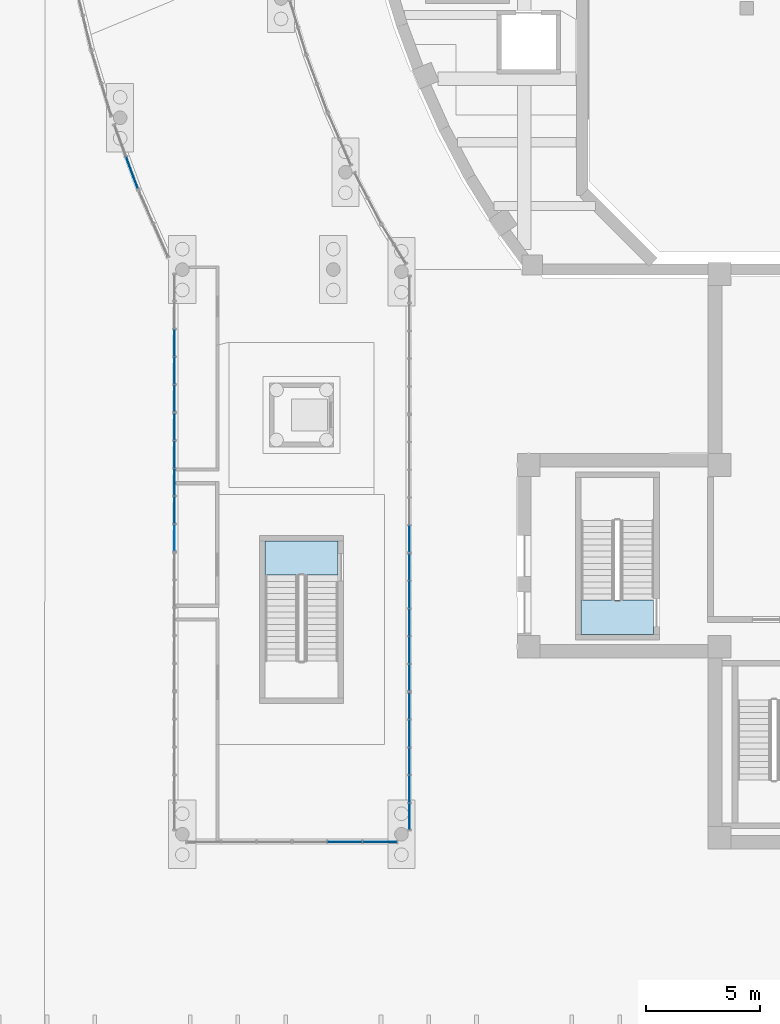
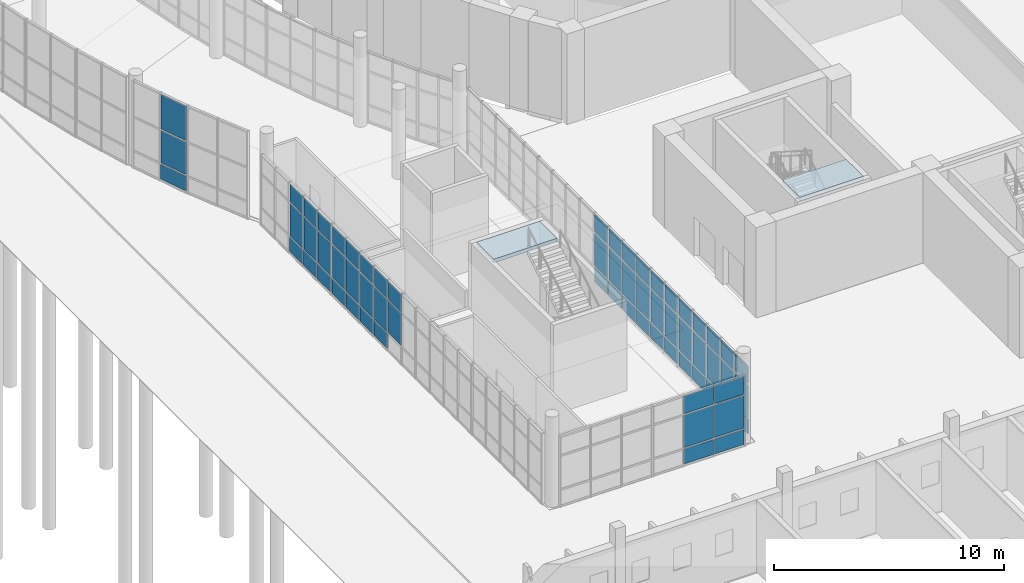
# One storey, part 40 of 110: 65 plates, 2 slabs, 9 elements without a shape of their own.
"""IFC4 building model written with IfcOpenShell, lengths in metres."""

import ifcopenshell
import ifcopenshell.guid

model = None  # the IFC model being written
_history = None  # IfcOwnerHistory: only IFC2X3 demands one
_inside = {}  # id of a spatial element -> (the spatial element, [elements in it])
_under = {}  # id of a project, library or spatial element -> (it, [spatial elements below it])
_declared = {}  # id of a project -> (the project, [libraries it declares])
_typed = {}  # id of a type object -> (the type object, [elements of that type])
_made_of = {}  # id of a material, layer set ... -> (it, [elements and type objects made of it])


def new_model(schema):
    """Start an empty IFC model of exactly this schema.

    Asked for "IFC4X3", IfcOpenShell would pick the latest addendum, in which some entities
    have other attributes; the version numbers below select the first issue.
    IFC2X3 requires an IfcOwnerHistory on every rooted entity: one is made here for all.
    """
    global model, _history
    if schema == "IFC4X3":
        model = ifcopenshell.file(schema_version=(4, 3, 0, 0))
    else:
        model = ifcopenshell.file(schema=schema)
    _inside.clear()
    _under.clear()
    _declared.clear()
    _typed.clear()
    _made_of.clear()
    _history = None
    if model.schema == "IFC2X3":
        org = make("IfcOrganization", Name="unknown")
        user = make(
            "IfcPersonAndOrganization",
            ThePerson=make("IfcPerson", FamilyName="unknown"),
            TheOrganization=org,
        )
        app = make(
            "IfcApplication",
            ApplicationDeveloper=org,
            Version="unknown",
            ApplicationFullName="unknown",
            ApplicationIdentifier="unknown",
        )
        _history = make(
            "IfcOwnerHistory",
            OwningUser=user,
            OwningApplication=app,
            ChangeAction="ADDED",
            CreationDate=0,
        )
    return model


def make(cls, **values):
    """One entity of the class cls with the attributes given. An attribute that is None is left unset."""
    return model.create_entity(
        cls, **{name: value for name, value in values.items() if value is not None}
    )


def rooted(cls, **values):
    """An entity with a GlobalId (a new one), such as an element, a storey or a relation."""
    return make(cls, GlobalId=ifcopenshell.guid.new(), OwnerHistory=_history, **values)


def si_unit(unit_type, name, prefix=None):
    """IfcSIUnit, for example si_unit("LENGTHUNIT", "METRE", prefix="MILLI")."""
    return make("IfcSIUnit", UnitType=unit_type, Prefix=prefix, Name=name)


def assignment(units):
    """IfcUnitAssignment: the units of a project."""
    return None if units is None else make("IfcUnitAssignment", Units=units)


def point(xyz):
    """IfcCartesianPoint."""
    return None if xyz is None else make("IfcCartesianPoint", Coordinates=xyz)


def direction(xyz):
    """IfcDirection."""
    return None if xyz is None else make("IfcDirection", DirectionRatios=xyz)


def frame(location, z_axis=None, x_axis=None):
    """IfcAxis2Placement3D, a coordinate frame: its origin and axes. An axis left out is left unset."""
    return make(
        "IfcAxis2Placement3D",
        Location=point(location),
        Axis=direction(z_axis),
        RefDirection=direction(x_axis),
    )


def frame_2d(location, x_axis=None):
    """IfcAxis2Placement2D, a coordinate frame in the plane: its origin and x axis."""
    return make(
        "IfcAxis2Placement2D", Location=point(location), RefDirection=direction(x_axis)
    )


def origin():
    """The frame at (0, 0, 0) with its axes left unset."""
    return frame((0.0, 0.0, 0.0))


def origin_2d():
    """The frame at (0, 0) in the plane with its x axis left unset."""
    return frame_2d((0.0, 0.0))


def place(relative_to, where):
    """IfcLocalPlacement: puts the frame where relative to a parent placement (None: the world)."""
    return make(
        "IfcLocalPlacement", PlacementRelTo=relative_to, RelativePlacement=where
    )


def context(
    kind, dimensions, precision=None, world=None, true_north=None, identifier=None
):
    """IfcGeometricRepresentationContext, for example the 3D "Model" context."""
    return make(
        "IfcGeometricRepresentationContext",
        ContextIdentifier=identifier,
        ContextType=kind,
        CoordinateSpaceDimension=dimensions,
        Precision=precision,
        WorldCoordinateSystem=world,
        TrueNorth=true_north,
    )


def subcontext(parent, identifier, kind, view, scale=None):
    """IfcGeometricRepresentationSubContext, for example "Body" below "Model"."""
    return make(
        "IfcGeometricRepresentationSubContext",
        ContextIdentifier=identifier,
        ContextType=kind,
        ParentContext=parent,
        TargetScale=scale,
        TargetView=view,
    )


def project(units=None, contexts=None):
    """IfcProject with its units and contexts."""
    return rooted(
        "IfcProject",
        Name="project",
        RepresentationContexts=contexts,
        UnitsInContext=assignment(units),
    )


def spatial(cls, under=None, at=None, **own):
    """A site, building, storey or space (cls), placed at a placement, below another one or the project."""
    s = rooted(cls, ObjectPlacement=at, **own)
    if under is not None:
        _under.setdefault(under.id(), (under, []))[1].append(s)
    return s


def polyline(points):
    """IfcPolyline through the points."""
    return make("IfcPolyline", Points=[point(p) for p in points])


def profile(cls, at=None, kind="AREA", **sizes):
    """A parametric profile (cls). Its sizes go by their IFC names, for example OverallWidth=200.0."""
    return make(cls, ProfileType=kind, Position=at, **sizes)


def rectangle(**sizes):
    """IfcRectangleProfileDef."""
    return profile("IfcRectangleProfileDef", **sizes)


def outline(outer, holes=None, kind="AREA"):
    """IfcArbitraryClosedProfileDef: a profile drawn as a closed curve; with holes, ...WithVoids."""
    if holes is None:
        return make("IfcArbitraryClosedProfileDef", ProfileType=kind, OuterCurve=outer)
    return make(
        "IfcArbitraryProfileDefWithVoids",
        ProfileType=kind,
        OuterCurve=outer,
        InnerCurves=holes,
    )


def extrude(swept, where, along, depth):
    """IfcExtrudedAreaSolid: the profile swept, set in the frame where, extruded along a direction by depth."""
    return make(
        "IfcExtrudedAreaSolid",
        SweptArea=swept,
        Position=where,
        ExtrudedDirection=direction(along),
        Depth=depth,
    )


def shape(context_of_items, identifier, shape_type, items):
    """IfcShapeRepresentation: the items that make up one representation, for example the "Body"."""
    return make(
        "IfcShapeRepresentation",
        ContextOfItems=context_of_items,
        RepresentationIdentifier=identifier,
        RepresentationType=shape_type,
        Items=items,
    )


def material(Name=None, Category=None):
    """IfcMaterial."""
    return make("IfcMaterial", Name=Name, Category=Category)


def layer(
    of_material, thickness, ventilated=None, Name=None, Category=None, Priority=None
):
    """IfcMaterialLayer: one layer of a wall or slab, of a material (None: an air gap)."""
    return make(
        "IfcMaterialLayer",
        Material=of_material,
        LayerThickness=thickness,
        IsVentilated=ventilated,
        Name=Name,
        Category=Category,
        Priority=Priority,
    )


def layer_set(layers, Name=None):
    """IfcMaterialLayerSet."""
    return make("IfcMaterialLayerSet", MaterialLayers=layers, LayerSetName=Name)


def made_of(thing, what):
    """Note that an element or type object is made of a material, layer set ...; save() writes the relation."""
    if what is not None:
        _made_of.setdefault(what.id(), (what, []))[1].append(thing)
    return thing


def type_object(cls, material=None, **own):
    """A type object (cls), such as IfcWallType, which elements share."""
    return made_of(rooted(cls, **own), material)


def element(
    cls,
    number,
    at=None,
    inside=None,
    cuts=None,
    type_object=None,
    material=None,
    context=None,
    identifier="Body",
    shape_type=None,
    held_by="IfcProductDefinitionShape",
    body=None,
    shapes=None,
    **own,
):
    """One element of the class cls, such as IfcWall. Its Tag is "e" and its number.

    at: its placement. inside: the storey or other place that contains it. cuts: it is an
    opening in that element (IfcRelVoidsElement). A single representation is given by context,
    identifier, shape_type and body (its items); several are given by shapes. held_by: the class
    of the entity that holds the representations. save() writes the other relations.
    """
    e = rooted(cls, Tag="e%d" % number, ObjectPlacement=at, **own)
    if body is not None:
        shapes = [shape(context, identifier, shape_type, body)]
    if shapes is not None:
        e.Representation = make(held_by, Representations=shapes)
    if inside is not None:
        _inside.setdefault(inside.id(), (inside, []))[1].append(e)
    if cuts is not None:
        rooted(
            "IfcRelVoidsElement", RelatingBuildingElement=cuts, RelatedOpeningElement=e
        )
    if type_object is not None:
        _typed.setdefault(type_object.id(), (type_object, []))[1].append(e)
    return made_of(e, material)


def aggregate(whole, parts):
    """IfcRelAggregates: a whole, such as a stair, and the parts it consists of."""
    return rooted("IfcRelAggregates", RelatingObject=whole, RelatedObjects=parts)


def save(model, path):
    """Write the relations noted so far, then the file.

    IfcRelAggregates (storeys below a building ...), IfcRelContainedInSpatialStructure (elements
    in a storey), IfcRelDefinesByType, IfcRelAssociatesMaterial and IfcRelDeclares: one each for
    every whole, place, type object, material and project.
    """
    for whole, parts in _under.values():
        aggregate(whole, parts)
    for where, things in _inside.values():
        rooted(
            "IfcRelContainedInSpatialStructure",
            RelatedElements=things,
            RelatingStructure=where,
        )
    for kind, things in _typed.values():
        rooted("IfcRelDefinesByType", RelatedObjects=things, RelatingType=kind)
    for what, things in _made_of.values():
        rooted("IfcRelAssociatesMaterial", RelatedObjects=things, RelatingMaterial=what)
    for by, libraries in _declared.values():
        rooted("IfcRelDeclares", RelatingContext=by, RelatedDefinitions=libraries)
    model.write(path)


model = new_model("IFC4")

# Units and contexts
model_context = context("Model", 3, precision=1e-05, world=origin(), true_north=direction((0.0, 1.0)))
body_context = subcontext(model_context, "Body", "Model", "MODEL_VIEW")
ifc_project = project(units=[si_unit("LENGTHUNIT", "METRE"), si_unit("AREAUNIT", "SQUARE_METRE"), si_unit("VOLUMEUNIT", "CUBIC_METRE"), si_unit("PLANEANGLEUNIT", "RADIAN"), si_unit("MASSUNIT", "GRAM", prefix="KILO")], contexts=[model_context])

# Site, building, storey
site_placement = place(None, origin())
site = spatial("IfcSite", under=ifc_project, at=site_placement, CompositionType="ELEMENT")
building_placement = place(site_placement, origin())
building = spatial("IfcBuilding", under=site, at=building_placement, Name="Larchfold Concert Hall", CompositionType="ELEMENT")
storey_placement = place(building_placement, origin())
storey = spatial("IfcBuildingStorey", under=building, at=storey_placement, Name="L00", CompositionType="ELEMENT", Elevation=0.0)

# Curtain wall, plates
ifc_material_1 = material(Name="Anodised graphite aluminium curtain wall", Category="aluminium")
ifc_layer_1 = layer(ifc_material_1, 0.14990234375)
ifc_layer_set_1 = layer_set([ifc_layer_1], Name="Anodised graphite aluminium curtain wall")
curtain_wall_type = type_object("IfcCurtainWallType", Name="Curtain wall WG", PredefinedType="NOTDEFINED", material=ifc_layer_set_1)
curtain_wall_1_placement = place(storey_placement, origin())
curtain_wall_1 = element("IfcCurtainWall", 1, at=curtain_wall_1_placement, inside=storey, type_object=curtain_wall_type, Name="Curtain wall CW0125", PredefinedType="NOTDEFINED")
ifc_material_2 = material(Name="Insulated glazing unit, glass", Category="glass")
ifc_layer_2 = layer(ifc_material_2, 0.028076171875)
ifc_layer_set_2 = layer_set([ifc_layer_2], Name="Insulated glazing unit, glass")
plate_type_1 = type_object("IfcPlateType", Name="Glass panel 28", PredefinedType="CURTAIN_PANEL", material=ifc_layer_set_2)
plate_1_placement = place(storey_placement, frame((8.539306640625, 63.657470703125, 0.93994140625), z_axis=(0.0, 0.0, 1.0), x_axis=(0.346592402451, -0.938015834921, 0.0)))
plate_1 = element("IfcPlate", 2, at=plate_1_placement, type_object=plate_type_1, Name="CW0125 panel 2.2", PredefinedType="CURTAIN_PANEL", context=body_context, shape_type="SweptSolid", body=[
    extrude(rectangle(XDim=1.446533203125, YDim=0.028076171875, at=origin_2d()), origin(), (0.0, 0.0, 1.0), 1.719970703125),
])
plate_2_placement = place(storey_placement, frame((8.539306640625, 63.657470703125, 2.740234375), z_axis=(0.0, 0.0, 1.0), x_axis=(0.346592402451, -0.938015834921, 0.0)))
plate_2 = element("IfcPlate", 3, at=plate_2_placement, type_object=plate_type_1, Name="CW0125 panel 2.3", PredefinedType="CURTAIN_PANEL", context=body_context, shape_type="SweptSolid", body=[
    extrude(rectangle(XDim=1.446533203125, YDim=0.028076171875, at=origin_2d()), origin(), (0.0, 0.0, 1.0), 1.829833984375),
])

curtain_wall_2_placement = place(storey_placement, origin())
curtain_wall_2 = element("IfcCurtainWall", 4, at=curtain_wall_2_placement, inside=storey, type_object=curtain_wall_type, Name="Curtain wall CW0127", PredefinedType="NOTDEFINED")
plate_3_placement = place(storey_placement, frame((10.408447265625, 56.174560546875, 0.93994140625), z_axis=(0.0, 0.0, 1.0), x_axis=(0.0, -1.0, 0.0)))
plate_3 = element("IfcPlate", 5, at=plate_3_placement, type_object=plate_type_1, Name="CW0127 panel 3.2", PredefinedType="CURTAIN_PANEL", context=body_context, shape_type="SweptSolid", body=[
    extrude(rectangle(XDim=1.16650390625, YDim=0.028076171875, at=origin_2d()), origin(), (0.0, 0.0, 1.0), 1.719970703125),
])
plate_4_placement = place(storey_placement, frame((10.408447265625, 56.174560546875, 2.740234375), z_axis=(0.0, 0.0, 1.0), x_axis=(0.0, -1.0, 0.0)))
plate_4 = element("IfcPlate", 6, at=plate_4_placement, type_object=plate_type_1, Name="CW0127 panel 3.3", PredefinedType="CURTAIN_PANEL", context=body_context, shape_type="SweptSolid", body=[
    extrude(rectangle(XDim=1.16650390625, YDim=0.028076171875, at=origin_2d()), origin(), (0.0, 0.0, 1.0), 0.929931640625),
])
plate_5_placement = place(storey_placement, frame((10.408447265625, 54.947998046875, 0.93994140625), z_axis=(0.0, 0.0, 1.0), x_axis=(0.0, -1.0, 0.0)))
plate_5 = element("IfcPlate", 7, at=plate_5_placement, type_object=plate_type_1, Name="CW0127 panel 4.2", PredefinedType="CURTAIN_PANEL", context=body_context, shape_type="SweptSolid", body=[
    extrude(rectangle(XDim=1.16650390625, YDim=0.028076171875, at=origin_2d()), origin(), (0.0, 0.0, 1.0), 1.719970703125),
])
plate_6_placement = place(storey_placement, frame((10.408447265625, 54.947998046875, 2.740234375), z_axis=(0.0, 0.0, 1.0), x_axis=(0.0, -1.0, 0.0)))
plate_6 = element("IfcPlate", 8, at=plate_6_placement, type_object=plate_type_1, Name="CW0127 panel 4.3", PredefinedType="CURTAIN_PANEL", context=body_context, shape_type="SweptSolid", body=[
    extrude(rectangle(XDim=1.16650390625, YDim=0.028076171875, at=origin_2d()), origin(), (0.0, 0.0, 1.0), 0.929931640625),
])
plate_7_placement = place(storey_placement, frame((10.408447265625, 53.736572265625, 0.93994140625), z_axis=(0.0, 0.0, 1.0), x_axis=(0.0, -1.0, 0.0)))
plate_7 = element("IfcPlate", 9, at=plate_7_placement, type_object=plate_type_1, Name="CW0127 panel 5.2", PredefinedType="CURTAIN_PANEL", context=body_context, shape_type="SweptSolid", body=[
    extrude(rectangle(XDim=1.13671875, YDim=0.028076171875, at=origin_2d()), origin(), (0.0, 0.0, 1.0), 1.719970703125),
])
plate_8_placement = place(storey_placement, frame((10.408447265625, 53.736572265625, 2.740234375), z_axis=(0.0, 0.0, 1.0), x_axis=(0.0, -1.0, 0.0)))
plate_8 = element("IfcPlate", 10, at=plate_8_placement, type_object=plate_type_1, Name="CW0127 panel 5.3", PredefinedType="CURTAIN_PANEL", context=body_context, shape_type="SweptSolid", body=[
    extrude(rectangle(XDim=1.13671875, YDim=0.028076171875, at=origin_2d()), origin(), (0.0, 0.0, 1.0), 0.929931640625),
])

curtain_wall_3_placement = place(storey_placement, origin())
curtain_wall_3 = element("IfcCurtainWall", 11, at=curtain_wall_3_placement, inside=storey, type_object=curtain_wall_type, Name="Curtain wall CW0128", PredefinedType="NOTDEFINED")
plate_9_placement = place(storey_placement, frame((10.408447265625, 52.479736328125, 0.93994140625), z_axis=(0.0, 0.0, 1.0), x_axis=(0.0, -1.0, 0.0)))
plate_9 = element("IfcPlate", 12, at=plate_9_placement, type_object=plate_type_1, Name="CW0128 panel 1.2", PredefinedType="CURTAIN_PANEL", context=body_context, shape_type="SweptSolid", body=[
    extrude(rectangle(XDim=1.13671875, YDim=0.028076171875, at=origin_2d()), origin(), (0.0, 0.0, 1.0), 1.719970703125),
])
plate_10_placement = place(storey_placement, frame((10.408447265625, 52.479736328125, 2.740234375), z_axis=(0.0, 0.0, 1.0), x_axis=(0.0, -1.0, 0.0)))
plate_10 = element("IfcPlate", 13, at=plate_10_placement, type_object=plate_type_1, Name="CW0128 panel 1.3", PredefinedType="CURTAIN_PANEL", context=body_context, shape_type="SweptSolid", body=[
    extrude(rectangle(XDim=1.13671875, YDim=0.028076171875, at=origin_2d()), origin(), (0.0, 0.0, 1.0), 0.929931640625),
])
plate_11_placement = place(storey_placement, frame((10.408447265625, 51.268310546875, 0.93994140625), z_axis=(0.0, 0.0, 1.0), x_axis=(0.0, -1.0, 0.0)))
plate_11 = element("IfcPlate", 14, at=plate_11_placement, type_object=plate_type_1, Name="CW0128 panel 2.2", PredefinedType="CURTAIN_PANEL", context=body_context, shape_type="SweptSolid", body=[
    extrude(rectangle(XDim=1.16650390625, YDim=0.028076171875, at=origin_2d()), origin(), (0.0, 0.0, 1.0), 1.719970703125),
])
plate_12_placement = place(storey_placement, frame((10.408447265625, 51.268310546875, 2.740234375), z_axis=(0.0, 0.0, 1.0), x_axis=(0.0, -1.0, 0.0)))
plate_12 = element("IfcPlate", 15, at=plate_12_placement, type_object=plate_type_1, Name="CW0128 panel 2.3", PredefinedType="CURTAIN_PANEL", context=body_context, shape_type="SweptSolid", body=[
    extrude(rectangle(XDim=1.16650390625, YDim=0.028076171875, at=origin_2d()), origin(), (0.0, 0.0, 1.0), 0.929931640625),
])
plate_13_placement = place(storey_placement, frame((10.408447265625, 50.041748046875, 0.93994140625), z_axis=(0.0, 0.0, 1.0), x_axis=(0.0, -1.0, 0.0)))
plate_13 = element("IfcPlate", 16, at=plate_13_placement, type_object=plate_type_1, Name="CW0128 panel 3.2", PredefinedType="CURTAIN_PANEL", context=body_context, shape_type="SweptSolid", body=[
    extrude(rectangle(XDim=1.16650390625, YDim=0.028076171875, at=origin_2d()), origin(), (0.0, 0.0, 1.0), 1.719970703125),
])
plate_14_placement = place(storey_placement, frame((10.408447265625, 50.041748046875, 2.740234375), z_axis=(0.0, 0.0, 1.0), x_axis=(0.0, -1.0, 0.0)))
plate_14 = element("IfcPlate", 17, at=plate_14_placement, type_object=plate_type_1, Name="CW0128 panel 3.3", PredefinedType="CURTAIN_PANEL", context=body_context, shape_type="SweptSolid", body=[
    extrude(rectangle(XDim=1.16650390625, YDim=0.028076171875, at=origin_2d()), origin(), (0.0, 0.0, 1.0), 0.929931640625),
])
plate_15_placement = place(storey_placement, frame((10.408447265625, 48.81494140625, 0.93994140625), z_axis=(0.0, 0.0, 1.0), x_axis=(0.0, -1.0, 0.0)))
plate_15 = element("IfcPlate", 18, at=plate_15_placement, type_object=plate_type_1, Name="CW0128 panel 4.2", PredefinedType="CURTAIN_PANEL", context=body_context, shape_type="SweptSolid", body=[
    extrude(rectangle(XDim=1.16650390625, YDim=0.028076171875, at=origin_2d()), origin(), (0.0, 0.0, 1.0), 1.719970703125),
])
plate_16_placement = place(storey_placement, frame((10.408447265625, 48.81494140625, 2.740234375), z_axis=(0.0, 0.0, 1.0), x_axis=(0.0, -1.0, 0.0)))
plate_16 = element("IfcPlate", 19, at=plate_16_placement, type_object=plate_type_1, Name="CW0128 panel 4.3", PredefinedType="CURTAIN_PANEL", context=body_context, shape_type="SweptSolid", body=[
    extrude(rectangle(XDim=1.16650390625, YDim=0.028076171875, at=origin_2d()), origin(), (0.0, 0.0, 1.0), 0.929931640625),
])
plate_17_placement = place(storey_placement, frame((10.408447265625, 47.603515625, 0.93994140625), z_axis=(0.0, 0.0, 1.0), x_axis=(0.0, -1.0, 0.0)))
plate_17 = element("IfcPlate", 20, at=plate_17_placement, type_object=plate_type_1, Name="CW0128 panel 5.2", PredefinedType="CURTAIN_PANEL", context=body_context, shape_type="SweptSolid", body=[
    extrude(rectangle(XDim=1.13671875, YDim=0.028076171875, at=origin_2d()), origin(), (0.0, 0.0, 1.0), 1.719970703125),
])
plate_18_placement = place(storey_placement, frame((10.408447265625, 47.603515625, 2.740234375), z_axis=(0.0, 0.0, 1.0), x_axis=(0.0, -1.0, 0.0)))
plate_18 = element("IfcPlate", 21, at=plate_18_placement, type_object=plate_type_1, Name="CW0128 panel 5.3", PredefinedType="CURTAIN_PANEL", context=body_context, shape_type="SweptSolid", body=[
    extrude(rectangle(XDim=1.13671875, YDim=0.028076171875, at=origin_2d()), origin(), (0.0, 0.0, 1.0), 0.929931640625),
])

curtain_wall_4_placement = place(storey_placement, origin())
curtain_wall_4 = element("IfcCurtainWall", 22, at=curtain_wall_4_placement, inside=storey, type_object=curtain_wall_type, Name="Curtain wall CW0132", PredefinedType="NOTDEFINED")
plate_19_placement = place(storey_placement, frame((17.91015625, 34.199951171875, 0.93994140625), z_axis=(0.0, 0.0, 1.0), x_axis=(1.0, 0.0, 0.0)))
plate_19 = element("IfcPlate", 23, at=plate_19_placement, type_object=plate_type_1, Name="CW0132 panel 2.2", PredefinedType="CURTAIN_PANEL", context=body_context, shape_type="SweptSolid", body=[
    extrude(rectangle(XDim=1.494384765625, YDim=0.028076171875, at=origin_2d()), origin(), (0.0, 0.0, 1.0), 1.719970703125),
])
plate_20_placement = place(storey_placement, frame((17.91015625, 34.199951171875, 2.740234375), z_axis=(0.0, 0.0, 1.0), x_axis=(1.0, 0.0, 0.0)))
plate_20 = element("IfcPlate", 24, at=plate_20_placement, type_object=plate_type_1, Name="CW0132 panel 2.3", PredefinedType="CURTAIN_PANEL", context=body_context, shape_type="SweptSolid", body=[
    extrude(rectangle(XDim=1.494384765625, YDim=0.028076171875, at=origin_2d()), origin(), (0.0, 0.0, 1.0), 0.929931640625),
])
plate_21_placement = place(storey_placement, frame((19.44921875, 34.199951171875, 0.93994140625), z_axis=(0.0, 0.0, 1.0), x_axis=(1.0, 0.0, 0.0)))
plate_21 = element("IfcPlate", 25, at=plate_21_placement, type_object=plate_type_1, Name="CW0132 panel 3.2", PredefinedType="CURTAIN_PANEL", context=body_context, shape_type="SweptSolid", body=[
    extrude(rectangle(XDim=1.46435546875, YDim=0.028076171875, at=origin_2d()), origin(), (0.0, 0.0, 1.0), 1.719970703125),
])
plate_22_placement = place(storey_placement, frame((19.44921875, 34.199951171875, 2.740234375), z_axis=(0.0, 0.0, 1.0), x_axis=(1.0, 0.0, 0.0)))
plate_22 = element("IfcPlate", 26, at=plate_22_placement, type_object=plate_type_1, Name="CW0132 panel 3.3", PredefinedType="CURTAIN_PANEL", context=body_context, shape_type="SweptSolid", body=[
    extrude(rectangle(XDim=1.46435546875, YDim=0.028076171875, at=origin_2d()), origin(), (0.0, 0.0, 1.0), 0.929931640625),
])

curtain_wall_5_placement = place(storey_placement, origin())
curtain_wall_5 = element("IfcCurtainWall", 27, at=curtain_wall_5_placement, inside=storey, type_object=curtain_wall_type, Name="Curtain wall CW0133", PredefinedType="NOTDEFINED")
plate_23_placement = place(storey_placement, frame((20.748779296875, 35.333984375, 0.93994140625), z_axis=(0.0, 0.0, 1.0), x_axis=(0.0, 1.0, 0.0)))
plate_23 = element("IfcPlate", 28, at=plate_23_placement, type_object=plate_type_1, Name="CW0133 panel 1.2", PredefinedType="CURTAIN_PANEL", context=body_context, shape_type="SweptSolid", body=[
    extrude(rectangle(XDim=1.1318359375, YDim=0.028076171875, at=origin_2d()), origin(), (0.0, 0.0, 1.0), 1.719970703125),
])
plate_24_placement = place(storey_placement, frame((20.748779296875, 35.333984375, 2.740234375), z_axis=(0.0, 0.0, 1.0), x_axis=(0.0, 1.0, 0.0)))
plate_24 = element("IfcPlate", 29, at=plate_24_placement, type_object=plate_type_1, Name="CW0133 panel 1.3", PredefinedType="CURTAIN_PANEL", context=body_context, shape_type="SweptSolid", body=[
    extrude(rectangle(XDim=1.1318359375, YDim=0.028076171875, at=origin_2d()), origin(), (0.0, 0.0, 1.0), 0.929931640625),
])
plate_25_placement = place(storey_placement, frame((20.748779296875, 36.540771484375, 0.93994140625), z_axis=(0.0, 0.0, 1.0), x_axis=(0.0, 1.0, 0.0)))
plate_25 = element("IfcPlate", 30, at=plate_25_placement, type_object=plate_type_1, Name="CW0133 panel 2.2", PredefinedType="CURTAIN_PANEL", context=body_context, shape_type="SweptSolid", body=[
    extrude(rectangle(XDim=1.161865234375, YDim=0.028076171875, at=origin_2d()), origin(), (0.0, 0.0, 1.0), 1.719970703125),
])
plate_26_placement = place(storey_placement, frame((20.748779296875, 36.540771484375, 2.740234375), z_axis=(0.0, 0.0, 1.0), x_axis=(0.0, 1.0, 0.0)))
plate_26 = element("IfcPlate", 31, at=plate_26_placement, type_object=plate_type_1, Name="CW0133 panel 2.3", PredefinedType="CURTAIN_PANEL", context=body_context, shape_type="SweptSolid", body=[
    extrude(rectangle(XDim=1.161865234375, YDim=0.028076171875, at=origin_2d()), origin(), (0.0, 0.0, 1.0), 0.929931640625),
])
plate_27_placement = place(storey_placement, frame((20.748779296875, 37.762451171875, 0.93994140625), z_axis=(0.0, 0.0, 1.0), x_axis=(0.0, 1.0, 0.0)))
plate_27 = element("IfcPlate", 32, at=plate_27_placement, type_object=plate_type_1, Name="CW0133 panel 3.2", PredefinedType="CURTAIN_PANEL", context=body_context, shape_type="SweptSolid", body=[
    extrude(rectangle(XDim=1.161865234375, YDim=0.028076171875, at=origin_2d()), origin(), (0.0, 0.0, 1.0), 1.719970703125),
])
plate_28_placement = place(storey_placement, frame((20.748779296875, 37.762451171875, 2.740234375), z_axis=(0.0, 0.0, 1.0), x_axis=(0.0, 1.0, 0.0)))
plate_28 = element("IfcPlate", 33, at=plate_28_placement, type_object=plate_type_1, Name="CW0133 panel 3.3", PredefinedType="CURTAIN_PANEL", context=body_context, shape_type="SweptSolid", body=[
    extrude(rectangle(XDim=1.161865234375, YDim=0.028076171875, at=origin_2d()), origin(), (0.0, 0.0, 1.0), 0.929931640625),
])
plate_29_placement = place(storey_placement, frame((20.748779296875, 38.984130859375, 0.93994140625), z_axis=(0.0, 0.0, 1.0), x_axis=(0.0, 1.0, 0.0)))
plate_29 = element("IfcPlate", 34, at=plate_29_placement, type_object=plate_type_1, Name="CW0133 panel 4.2", PredefinedType="CURTAIN_PANEL", context=body_context, shape_type="SweptSolid", body=[
    extrude(rectangle(XDim=1.161865234375, YDim=0.028076171875, at=origin_2d()), origin(), (0.0, 0.0, 1.0), 1.719970703125),
])
plate_30_placement = place(storey_placement, frame((20.748779296875, 38.984130859375, 2.740234375), z_axis=(0.0, 0.0, 1.0), x_axis=(0.0, 1.0, 0.0)))
plate_30 = element("IfcPlate", 35, at=plate_30_placement, type_object=plate_type_1, Name="CW0133 panel 4.3", PredefinedType="CURTAIN_PANEL", context=body_context, shape_type="SweptSolid", body=[
    extrude(rectangle(XDim=1.161865234375, YDim=0.028076171875, at=origin_2d()), origin(), (0.0, 0.0, 1.0), 0.929931640625),
])
plate_31_placement = place(storey_placement, frame((20.748779296875, 40.19091796875, 0.93994140625), z_axis=(0.0, 0.0, 1.0), x_axis=(0.0, 1.0, 0.0)))
plate_31 = element("IfcPlate", 36, at=plate_31_placement, type_object=plate_type_1, Name="CW0133 panel 5.2", PredefinedType="CURTAIN_PANEL", context=body_context, shape_type="SweptSolid", body=[
    extrude(rectangle(XDim=1.1318359375, YDim=0.028076171875, at=origin_2d()), origin(), (0.0, 0.0, 1.0), 1.719970703125),
])
plate_32_placement = place(storey_placement, frame((20.748779296875, 40.19091796875, 2.740234375), z_axis=(0.0, 0.0, 1.0), x_axis=(0.0, 1.0, 0.0)))
plate_32 = element("IfcPlate", 37, at=plate_32_placement, type_object=plate_type_1, Name="CW0133 panel 5.3", PredefinedType="CURTAIN_PANEL", context=body_context, shape_type="SweptSolid", body=[
    extrude(rectangle(XDim=1.1318359375, YDim=0.028076171875, at=origin_2d()), origin(), (0.0, 0.0, 1.0), 0.929931640625),
])

curtain_wall_6_placement = place(storey_placement, origin())
curtain_wall_6 = element("IfcCurtainWall", 38, at=curtain_wall_6_placement, inside=storey, type_object=curtain_wall_type, Name="Curtain wall CW0134", PredefinedType="NOTDEFINED")
plate_33_placement = place(storey_placement, frame((20.748779296875, 41.44287109375, 0.93994140625), z_axis=(0.0, 0.0, 1.0), x_axis=(0.0, 1.0, 0.0)))
plate_33 = element("IfcPlate", 39, at=plate_33_placement, type_object=plate_type_1, Name="CW0134 panel 1.2", PredefinedType="CURTAIN_PANEL", context=body_context, shape_type="SweptSolid", body=[
    extrude(rectangle(XDim=1.1318359375, YDim=0.028076171875, at=origin_2d()), origin(), (0.0, 0.0, 1.0), 1.719970703125),
])
plate_34_placement = place(storey_placement, frame((20.748779296875, 41.44287109375, 2.740234375), z_axis=(0.0, 0.0, 1.0), x_axis=(0.0, 1.0, 0.0)))
plate_34 = element("IfcPlate", 40, at=plate_34_placement, type_object=plate_type_1, Name="CW0134 panel 1.3", PredefinedType="CURTAIN_PANEL", context=body_context, shape_type="SweptSolid", body=[
    extrude(rectangle(XDim=1.1318359375, YDim=0.028076171875, at=origin_2d()), origin(), (0.0, 0.0, 1.0), 0.929931640625),
])
plate_35_placement = place(storey_placement, frame((20.748779296875, 42.6494140625, 0.93994140625), z_axis=(0.0, 0.0, 1.0), x_axis=(0.0, 1.0, 0.0)))
plate_35 = element("IfcPlate", 41, at=plate_35_placement, type_object=plate_type_1, Name="CW0134 panel 2.2", PredefinedType="CURTAIN_PANEL", context=body_context, shape_type="SweptSolid", body=[
    extrude(rectangle(XDim=1.16162109375, YDim=0.028076171875, at=origin_2d()), origin(), (0.0, 0.0, 1.0), 1.719970703125),
])
plate_36_placement = place(storey_placement, frame((20.748779296875, 42.6494140625, 2.740234375), z_axis=(0.0, 0.0, 1.0), x_axis=(0.0, 1.0, 0.0)))
plate_36 = element("IfcPlate", 42, at=plate_36_placement, type_object=plate_type_1, Name="CW0134 panel 2.3", PredefinedType="CURTAIN_PANEL", context=body_context, shape_type="SweptSolid", body=[
    extrude(rectangle(XDim=1.16162109375, YDim=0.028076171875, at=origin_2d()), origin(), (0.0, 0.0, 1.0), 0.929931640625),
])
plate_37_placement = place(storey_placement, frame((20.748779296875, 43.87109375, 0.93994140625), z_axis=(0.0, 0.0, 1.0), x_axis=(0.0, 1.0, 0.0)))
plate_37 = element("IfcPlate", 43, at=plate_37_placement, type_object=plate_type_1, Name="CW0134 panel 3.2", PredefinedType="CURTAIN_PANEL", context=body_context, shape_type="SweptSolid", body=[
    extrude(rectangle(XDim=1.16162109375, YDim=0.028076171875, at=origin_2d()), origin(), (0.0, 0.0, 1.0), 1.719970703125),
])
plate_38_placement = place(storey_placement, frame((20.748779296875, 43.87109375, 2.740234375), z_axis=(0.0, 0.0, 1.0), x_axis=(0.0, 1.0, 0.0)))
plate_38 = element("IfcPlate", 44, at=plate_38_placement, type_object=plate_type_1, Name="CW0134 panel 3.3", PredefinedType="CURTAIN_PANEL", context=body_context, shape_type="SweptSolid", body=[
    extrude(rectangle(XDim=1.16162109375, YDim=0.028076171875, at=origin_2d()), origin(), (0.0, 0.0, 1.0), 0.929931640625),
])
plate_39_placement = place(storey_placement, frame((20.748779296875, 45.093017578125, 0.93994140625), z_axis=(0.0, 0.0, 1.0), x_axis=(0.0, 1.0, 0.0)))
plate_39 = element("IfcPlate", 45, at=plate_39_placement, type_object=plate_type_1, Name="CW0134 panel 4.2", PredefinedType="CURTAIN_PANEL", context=body_context, shape_type="SweptSolid", body=[
    extrude(rectangle(XDim=1.16162109375, YDim=0.028076171875, at=origin_2d()), origin(), (0.0, 0.0, 1.0), 1.719970703125),
])
plate_40_placement = place(storey_placement, frame((20.748779296875, 45.093017578125, 2.740234375), z_axis=(0.0, 0.0, 1.0), x_axis=(0.0, 1.0, 0.0)))
plate_40 = element("IfcPlate", 46, at=plate_40_placement, type_object=plate_type_1, Name="CW0134 panel 4.3", PredefinedType="CURTAIN_PANEL", context=body_context, shape_type="SweptSolid", body=[
    extrude(rectangle(XDim=1.16162109375, YDim=0.028076171875, at=origin_2d()), origin(), (0.0, 0.0, 1.0), 0.929931640625),
])
plate_41_placement = place(storey_placement, frame((20.748779296875, 46.299560546875, 0.93994140625), z_axis=(0.0, 0.0, 1.0), x_axis=(0.0, 1.0, 0.0)))
plate_41 = element("IfcPlate", 47, at=plate_41_placement, type_object=plate_type_1, Name="CW0134 panel 5.2", PredefinedType="CURTAIN_PANEL", context=body_context, shape_type="SweptSolid", body=[
    extrude(rectangle(XDim=1.1318359375, YDim=0.028076171875, at=origin_2d()), origin(), (0.0, 0.0, 1.0), 1.719970703125),
])
plate_42_placement = place(storey_placement, frame((20.748779296875, 46.299560546875, 2.740234375), z_axis=(0.0, 0.0, 1.0), x_axis=(0.0, 1.0, 0.0)))
plate_42 = element("IfcPlate", 48, at=plate_42_placement, type_object=plate_type_1, Name="CW0134 panel 5.3", PredefinedType="CURTAIN_PANEL", context=body_context, shape_type="SweptSolid", body=[
    extrude(rectangle(XDim=1.1318359375, YDim=0.028076171875, at=origin_2d()), origin(), (0.0, 0.0, 1.0), 0.929931640625),
])

curtain_wall_7_placement = place(storey_placement, origin())
curtain_wall_7 = element("IfcCurtainWall", 49, at=curtain_wall_7_placement, inside=storey, type_object=curtain_wall_type, Name="Curtain wall CW0135", PredefinedType="NOTDEFINED")
plate_43_placement = place(storey_placement, frame((20.748779296875, 47.551513671875, 0.93994140625), z_axis=(0.0, 0.0, 1.0), x_axis=(0.0, 1.0, 0.0)))
plate_43 = element("IfcPlate", 50, at=plate_43_placement, type_object=plate_type_1, Name="CW0135 panel 1.2", PredefinedType="CURTAIN_PANEL", context=body_context, shape_type="SweptSolid", body=[
    extrude(rectangle(XDim=1.1318359375, YDim=0.028076171875, at=origin_2d()), origin(), (0.0, 0.0, 1.0), 1.719970703125),
])
plate_44_placement = place(storey_placement, frame((20.748779296875, 47.551513671875, 2.740234375), z_axis=(0.0, 0.0, 1.0), x_axis=(0.0, 1.0, 0.0)))
plate_44 = element("IfcPlate", 51, at=plate_44_placement, type_object=plate_type_1, Name="CW0135 panel 1.3", PredefinedType="CURTAIN_PANEL", context=body_context, shape_type="SweptSolid", body=[
    extrude(rectangle(XDim=1.1318359375, YDim=0.028076171875, at=origin_2d()), origin(), (0.0, 0.0, 1.0), 0.929931640625),
])

# Plate
ifc_material_3 = material(Name="White insulated panel")
ifc_layer_3 = layer(ifc_material_3, 0.06005859375)
ifc_layer_set_3 = layer_set([ifc_layer_3], Name="White insulated panel")
plate_type_2 = type_object("IfcPlateType", Name="Insulated spandrel panel 60", PredefinedType="CURTAIN_PANEL", material=ifc_layer_set_3)
plate_45_placement = place(storey_placement, frame((8.539306640625, 63.657470703125, 0.080078125), z_axis=(0.0, 0.0, 1.0), x_axis=(0.346592402451, -0.938015834921, 0.0)))
plate_45 = element("IfcPlate", 52, at=plate_45_placement, type_object=plate_type_2, Name="CW0125 panel 2.1", PredefinedType="CURTAIN_PANEL", context=body_context, shape_type="SweptSolid", body=[
    extrude(rectangle(XDim=1.446533203125, YDim=0.06005859375, at=origin_2d()), origin(), (0.0, 0.0, 1.0), 0.77978515625),
])

aggregate(curtain_wall_1, [plate_45, plate_1, plate_2])

plate_46_placement = place(storey_placement, frame((10.408447265625, 56.174560546875, 0.080078125), z_axis=(0.0, 0.0, 1.0), x_axis=(0.0, -1.0, 0.0)))
plate_46 = element("IfcPlate", 53, at=plate_46_placement, type_object=plate_type_2, Name="CW0127 panel 3.1", PredefinedType="CURTAIN_PANEL", context=body_context, shape_type="SweptSolid", body=[
    extrude(rectangle(XDim=1.16650390625, YDim=0.06005859375, at=origin_2d()), origin(), (0.0, 0.0, 1.0), 0.77978515625),
])

plate_47_placement = place(storey_placement, frame((10.408447265625, 54.947998046875, 0.080078125), z_axis=(0.0, 0.0, 1.0), x_axis=(0.0, -1.0, 0.0)))
plate_47 = element("IfcPlate", 54, at=plate_47_placement, type_object=plate_type_2, Name="CW0127 panel 4.1", PredefinedType="CURTAIN_PANEL", context=body_context, shape_type="SweptSolid", body=[
    extrude(rectangle(XDim=1.16650390625, YDim=0.06005859375, at=origin_2d()), origin(), (0.0, 0.0, 1.0), 0.77978515625),
])

plate_48_placement = place(storey_placement, frame((10.408447265625, 53.736572265625, 0.080078125), z_axis=(0.0, 0.0, 1.0), x_axis=(0.0, -1.0, 0.0)))
plate_48 = element("IfcPlate", 55, at=plate_48_placement, type_object=plate_type_2, Name="CW0127 panel 5.1", PredefinedType="CURTAIN_PANEL", context=body_context, shape_type="SweptSolid", body=[
    extrude(rectangle(XDim=1.13671875, YDim=0.06005859375, at=origin_2d()), origin(), (0.0, 0.0, 1.0), 0.77978515625),
])

aggregate(curtain_wall_2, [plate_46, plate_3, plate_4, plate_47, plate_5, plate_6, plate_48, plate_7, plate_8])

plate_49_placement = place(storey_placement, frame((10.408447265625, 52.479736328125, 0.080078125), z_axis=(0.0, 0.0, 1.0), x_axis=(0.0, -1.0, 0.0)))
plate_49 = element("IfcPlate", 56, at=plate_49_placement, type_object=plate_type_2, Name="CW0128 panel 1.1", PredefinedType="CURTAIN_PANEL", context=body_context, shape_type="SweptSolid", body=[
    extrude(rectangle(XDim=1.13671875, YDim=0.06005859375, at=origin_2d()), origin(), (0.0, 0.0, 1.0), 0.77978515625),
])

plate_50_placement = place(storey_placement, frame((10.408447265625, 51.268310546875, 0.080078125), z_axis=(0.0, 0.0, 1.0), x_axis=(0.0, -1.0, 0.0)))
plate_50 = element("IfcPlate", 57, at=plate_50_placement, type_object=plate_type_2, Name="CW0128 panel 2.1", PredefinedType="CURTAIN_PANEL", context=body_context, shape_type="SweptSolid", body=[
    extrude(rectangle(XDim=1.16650390625, YDim=0.06005859375, at=origin_2d()), origin(), (0.0, 0.0, 1.0), 0.77978515625),
])

plate_51_placement = place(storey_placement, frame((10.408447265625, 50.041748046875, 0.080078125), z_axis=(0.0, 0.0, 1.0), x_axis=(0.0, -1.0, 0.0)))
plate_51 = element("IfcPlate", 58, at=plate_51_placement, type_object=plate_type_2, Name="CW0128 panel 3.1", PredefinedType="CURTAIN_PANEL", context=body_context, shape_type="SweptSolid", body=[
    extrude(rectangle(XDim=1.16650390625, YDim=0.06005859375, at=origin_2d()), origin(), (0.0, 0.0, 1.0), 0.77978515625),
])

plate_52_placement = place(storey_placement, frame((10.408447265625, 48.81494140625, 0.080078125), z_axis=(0.0, 0.0, 1.0), x_axis=(0.0, -1.0, 0.0)))
plate_52 = element("IfcPlate", 59, at=plate_52_placement, type_object=plate_type_2, Name="CW0128 panel 4.1", PredefinedType="CURTAIN_PANEL", context=body_context, shape_type="SweptSolid", body=[
    extrude(rectangle(XDim=1.16650390625, YDim=0.06005859375, at=origin_2d()), origin(), (0.0, 0.0, 1.0), 0.77978515625),
])

aggregate(curtain_wall_3, [plate_49, plate_9, plate_10, plate_50, plate_11, plate_12, plate_51, plate_13, plate_14, plate_52, plate_15, plate_16, plate_17, plate_18])

plate_53_placement = place(storey_placement, frame((17.91015625, 34.199951171875, 0.080078125), z_axis=(0.0, 0.0, 1.0), x_axis=(1.0, 0.0, 0.0)))
plate_53 = element("IfcPlate", 60, at=plate_53_placement, type_object=plate_type_2, Name="CW0132 panel 2.1", PredefinedType="CURTAIN_PANEL", context=body_context, shape_type="SweptSolid", body=[
    extrude(rectangle(XDim=1.494384765625, YDim=0.06005859375, at=origin_2d()), origin(), (0.0, 0.0, 1.0), 0.77978515625),
])

plate_54_placement = place(storey_placement, frame((19.44921875, 34.199951171875, 0.080078125), z_axis=(0.0, 0.0, 1.0), x_axis=(1.0, 0.0, 0.0)))
plate_54 = element("IfcPlate", 61, at=plate_54_placement, type_object=plate_type_2, Name="CW0132 panel 3.1", PredefinedType="CURTAIN_PANEL", context=body_context, shape_type="SweptSolid", body=[
    extrude(rectangle(XDim=1.46435546875, YDim=0.06005859375, at=origin_2d()), origin(), (0.0, 0.0, 1.0), 0.77978515625),
])

aggregate(curtain_wall_4, [plate_53, plate_19, plate_20, plate_54, plate_21, plate_22])

plate_55_placement = place(storey_placement, frame((20.748779296875, 35.333984375, 0.080078125), z_axis=(0.0, 0.0, 1.0), x_axis=(0.0, 1.0, 0.0)))
plate_55 = element("IfcPlate", 62, at=plate_55_placement, type_object=plate_type_2, Name="CW0133 panel 1.1", PredefinedType="CURTAIN_PANEL", context=body_context, shape_type="SweptSolid", body=[
    extrude(rectangle(XDim=1.1318359375, YDim=0.06005859375, at=origin_2d()), origin(), (0.0, 0.0, 1.0), 0.77978515625),
])

plate_56_placement = place(storey_placement, frame((20.748779296875, 36.540771484375, 0.080078125), z_axis=(0.0, 0.0, 1.0), x_axis=(0.0, 1.0, 0.0)))
plate_56 = element("IfcPlate", 63, at=plate_56_placement, type_object=plate_type_2, Name="CW0133 panel 2.1", PredefinedType="CURTAIN_PANEL", context=body_context, shape_type="SweptSolid", body=[
    extrude(rectangle(XDim=1.161865234375, YDim=0.06005859375, at=origin_2d()), origin(), (0.0, 0.0, 1.0), 0.77978515625),
])

plate_57_placement = place(storey_placement, frame((20.748779296875, 37.762451171875, 0.080078125), z_axis=(0.0, 0.0, 1.0), x_axis=(0.0, 1.0, 0.0)))
plate_57 = element("IfcPlate", 64, at=plate_57_placement, type_object=plate_type_2, Name="CW0133 panel 3.1", PredefinedType="CURTAIN_PANEL", context=body_context, shape_type="SweptSolid", body=[
    extrude(rectangle(XDim=1.161865234375, YDim=0.06005859375, at=origin_2d()), origin(), (0.0, 0.0, 1.0), 0.77978515625),
])

plate_58_placement = place(storey_placement, frame((20.748779296875, 38.984130859375, 0.080078125), z_axis=(0.0, 0.0, 1.0), x_axis=(0.0, 1.0, 0.0)))
plate_58 = element("IfcPlate", 65, at=plate_58_placement, type_object=plate_type_2, Name="CW0133 panel 4.1", PredefinedType="CURTAIN_PANEL", context=body_context, shape_type="SweptSolid", body=[
    extrude(rectangle(XDim=1.161865234375, YDim=0.06005859375, at=origin_2d()), origin(), (0.0, 0.0, 1.0), 0.77978515625),
])

plate_59_placement = place(storey_placement, frame((20.748779296875, 40.19091796875, 0.080078125), z_axis=(0.0, 0.0, 1.0), x_axis=(0.0, 1.0, 0.0)))
plate_59 = element("IfcPlate", 66, at=plate_59_placement, type_object=plate_type_2, Name="CW0133 panel 5.1", PredefinedType="CURTAIN_PANEL", context=body_context, shape_type="SweptSolid", body=[
    extrude(rectangle(XDim=1.1318359375, YDim=0.06005859375, at=origin_2d()), origin(), (0.0, 0.0, 1.0), 0.77978515625),
])

aggregate(curtain_wall_5, [plate_55, plate_23, plate_24, plate_56, plate_25, plate_26, plate_57, plate_27, plate_28, plate_58, plate_29, plate_30, plate_59, plate_31, plate_32])

plate_60_placement = place(storey_placement, frame((20.748779296875, 41.44287109375, 0.080078125), z_axis=(0.0, 0.0, 1.0), x_axis=(0.0, 1.0, 0.0)))
plate_60 = element("IfcPlate", 67, at=plate_60_placement, type_object=plate_type_2, Name="CW0134 panel 1.1", PredefinedType="CURTAIN_PANEL", context=body_context, shape_type="SweptSolid", body=[
    extrude(rectangle(XDim=1.1318359375, YDim=0.06005859375, at=origin_2d()), origin(), (0.0, 0.0, 1.0), 0.77978515625),
])

plate_61_placement = place(storey_placement, frame((20.748779296875, 42.6494140625, 0.080078125), z_axis=(0.0, 0.0, 1.0), x_axis=(0.0, 1.0, 0.0)))
plate_61 = element("IfcPlate", 68, at=plate_61_placement, type_object=plate_type_2, Name="CW0134 panel 2.1", PredefinedType="CURTAIN_PANEL", context=body_context, shape_type="SweptSolid", body=[
    extrude(rectangle(XDim=1.16162109375, YDim=0.06005859375, at=origin_2d()), origin(), (0.0, 0.0, 1.0), 0.77978515625),
])

plate_62_placement = place(storey_placement, frame((20.748779296875, 43.87109375, 0.080078125), z_axis=(0.0, 0.0, 1.0), x_axis=(0.0, 1.0, 0.0)))
plate_62 = element("IfcPlate", 69, at=plate_62_placement, type_object=plate_type_2, Name="CW0134 panel 3.1", PredefinedType="CURTAIN_PANEL", context=body_context, shape_type="SweptSolid", body=[
    extrude(rectangle(XDim=1.16162109375, YDim=0.06005859375, at=origin_2d()), origin(), (0.0, 0.0, 1.0), 0.77978515625),
])

plate_63_placement = place(storey_placement, frame((20.748779296875, 45.093017578125, 0.080078125), z_axis=(0.0, 0.0, 1.0), x_axis=(0.0, 1.0, 0.0)))
plate_63 = element("IfcPlate", 70, at=plate_63_placement, type_object=plate_type_2, Name="CW0134 panel 4.1", PredefinedType="CURTAIN_PANEL", context=body_context, shape_type="SweptSolid", body=[
    extrude(rectangle(XDim=1.16162109375, YDim=0.06005859375, at=origin_2d()), origin(), (0.0, 0.0, 1.0), 0.77978515625),
])

plate_64_placement = place(storey_placement, frame((20.748779296875, 46.299560546875, 0.080078125), z_axis=(0.0, 0.0, 1.0), x_axis=(0.0, 1.0, 0.0)))
plate_64 = element("IfcPlate", 71, at=plate_64_placement, type_object=plate_type_2, Name="CW0134 panel 5.1", PredefinedType="CURTAIN_PANEL", context=body_context, shape_type="SweptSolid", body=[
    extrude(rectangle(XDim=1.1318359375, YDim=0.06005859375, at=origin_2d()), origin(), (0.0, 0.0, 1.0), 0.77978515625),
])

aggregate(curtain_wall_6, [plate_60, plate_33, plate_34, plate_61, plate_35, plate_36, plate_62, plate_37, plate_38, plate_63, plate_39, plate_40, plate_64, plate_41, plate_42])

plate_65_placement = place(storey_placement, frame((20.748779296875, 47.551513671875, 0.080078125), z_axis=(0.0, 0.0, 1.0), x_axis=(0.0, 1.0, 0.0)))
plate_65 = element("IfcPlate", 72, at=plate_65_placement, type_object=plate_type_2, Name="CW0135 panel 1.1", PredefinedType="CURTAIN_PANEL", context=body_context, shape_type="SweptSolid", body=[
    extrude(rectangle(XDim=1.1318359375, YDim=0.06005859375, at=origin_2d()), origin(), (0.0, 0.0, 1.0), 0.77978515625),
])

aggregate(curtain_wall_7, [plate_65, plate_43, plate_44])

# Stair, slab
ifc_material_4 = material(Name="Concrete C35/45", Category="concrete")
stair_type = type_object("IfcStairType", Name="Stair RC half-turn enclosed", PredefinedType="HALF_TURN_STAIR", material=ifc_material_4)
stair_1_placement = place(storey_placement, origin())
stair_1 = element("IfcStair", 73, at=stair_1_placement, inside=storey, type_object=stair_type, Name="Stair SH1", PredefinedType="HALF_TURN_STAIR")
ifc_material_5 = material(Name="Concrete C35/45", Category="concrete")
ifc_layer_4 = layer(ifc_material_5, 0.199951171875)
ifc_layer_set_4 = layer_set([ifc_layer_4], Name="Concrete C35/45")
slab_type = type_object("IfcSlabType", Name="Stair landing RC 200", PredefinedType="LANDING", material=ifc_layer_set_4)
slab_1_placement = place(storey_placement, frame((0.0, 0.0, 4.60009765625)))
slab_1 = element("IfcSlab", 74, at=slab_1_placement, type_object=slab_type, Name="ST09 landing 2", PredefinedType="LANDING", context=body_context, shape_type="SweptSolid", body=[
    extrude(outline(polyline([(31.5, 43.35009765625), (31.5, 44.85009765625), (28.300048828125, 44.85009765625), (28.300048828125, 43.35009765625), (31.5, 43.35009765625)])), origin(), (0.0, 0.0, 1.0), 0.199951171875),
])
aggregate(stair_1, [slab_1])

stair_2_placement = place(storey_placement, origin())
stair_2 = element("IfcStair", 75, at=stair_2_placement, inside=storey, type_object=stair_type, Name="Stair WG1", PredefinedType="HALF_TURN_STAIR")
slab_2_placement = place(storey_placement, frame((0.0, 0.0, 4.60009765625)))
slab_2 = element("IfcSlab", 76, at=slab_2_placement, type_object=slab_type, Name="ST23 landing 2", PredefinedType="LANDING", context=body_context, shape_type="SweptSolid", body=[
    extrude(outline(polyline([(14.39990234375, 47.449951171875), (14.39990234375, 45.949951171875), (17.60009765625, 45.949951171875), (17.60009765625, 47.449951171875), (14.39990234375, 47.449951171875)])), origin(), (0.0, 0.0, 1.0), 0.199951171875),
])
aggregate(stair_2, [slab_2])

save(model, "model.ifc")
